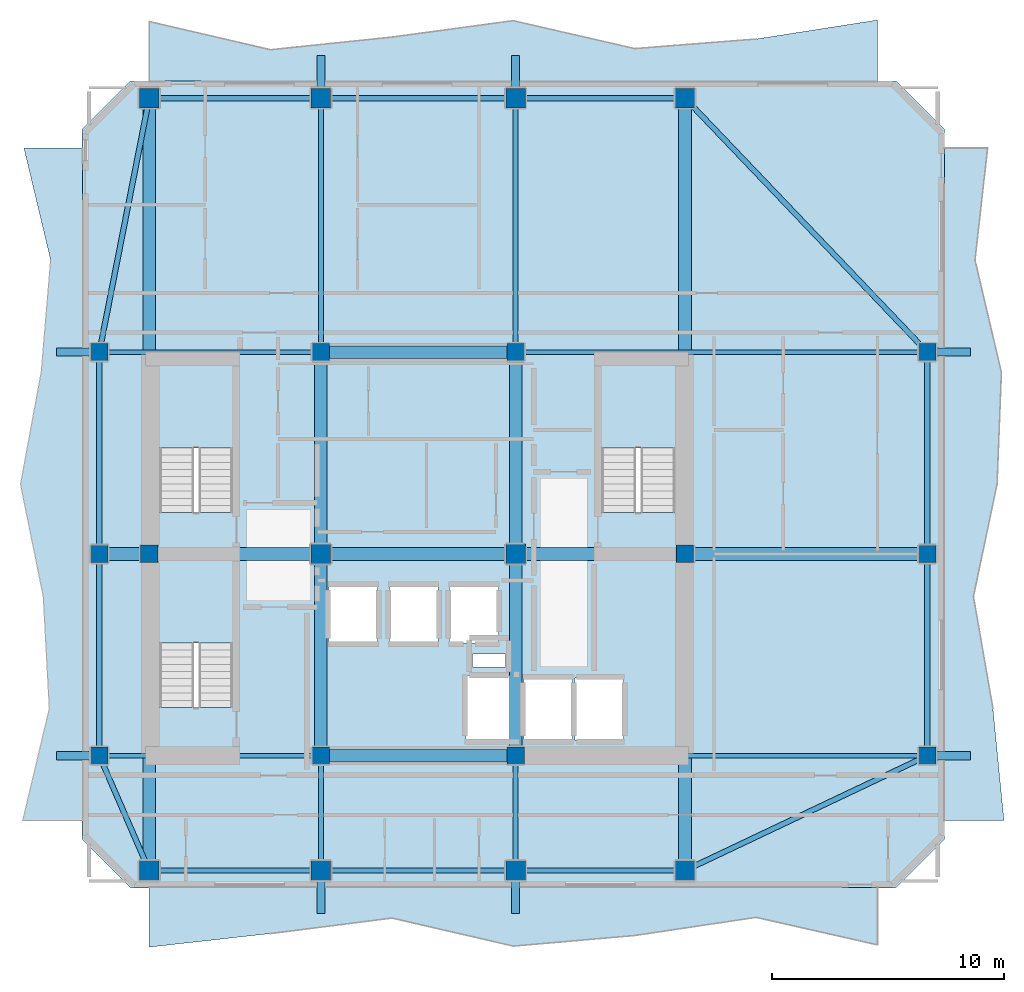
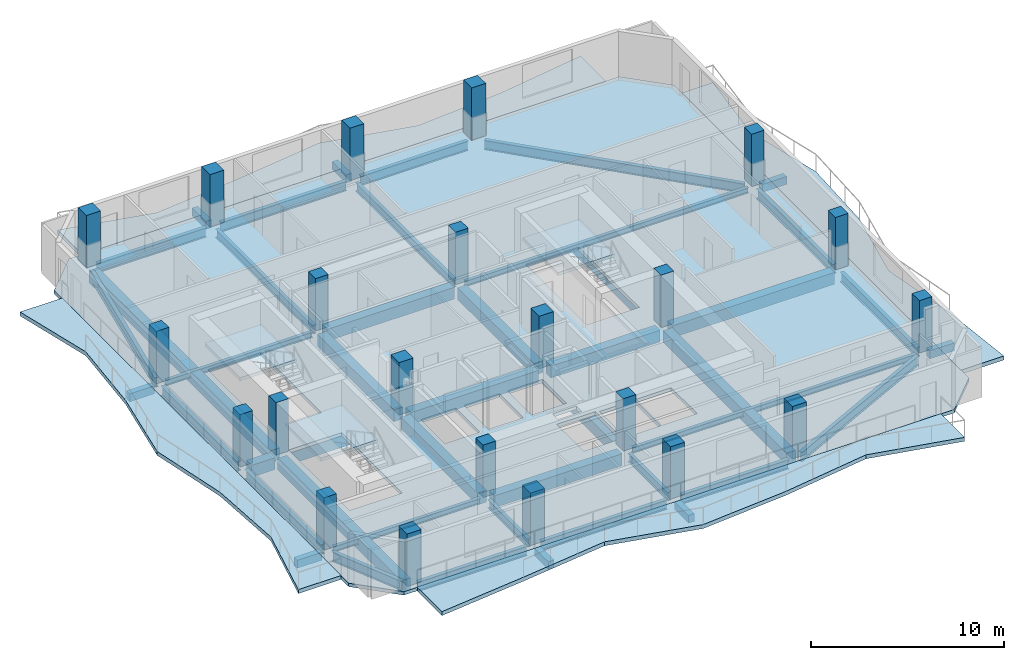
# One storey, part 1 of 9: 45 beams, 22 columns, 8 slabs, 3 elements without a shape of their own.
"""IFC4 building model written with IfcOpenShell, lengths in metres."""

import ifcopenshell
import ifcopenshell.guid

model = None  # the IFC model being written
_history = None  # IfcOwnerHistory: only IFC2X3 demands one
_inside = {}  # id of a spatial element -> (the spatial element, [elements in it])
_under = {}  # id of a project, library or spatial element -> (it, [spatial elements below it])
_declared = {}  # id of a project -> (the project, [libraries it declares])
_typed = {}  # id of a type object -> (the type object, [elements of that type])
_made_of = {}  # id of a material, layer set ... -> (it, [elements and type objects made of it])


def new_model(schema):
    """Start an empty IFC model of exactly this schema.

    Asked for "IFC4X3", IfcOpenShell would pick the latest addendum, in which some entities
    have other attributes; the version numbers below select the first issue.
    IFC2X3 requires an IfcOwnerHistory on every rooted entity: one is made here for all.
    """
    global model, _history
    if schema == "IFC4X3":
        model = ifcopenshell.file(schema_version=(4, 3, 0, 0))
    else:
        model = ifcopenshell.file(schema=schema)
    _inside.clear()
    _under.clear()
    _declared.clear()
    _typed.clear()
    _made_of.clear()
    _history = None
    if model.schema == "IFC2X3":
        org = make("IfcOrganization", Name="unknown")
        user = make(
            "IfcPersonAndOrganization",
            ThePerson=make("IfcPerson", FamilyName="unknown"),
            TheOrganization=org,
        )
        app = make(
            "IfcApplication",
            ApplicationDeveloper=org,
            Version="unknown",
            ApplicationFullName="unknown",
            ApplicationIdentifier="unknown",
        )
        _history = make(
            "IfcOwnerHistory",
            OwningUser=user,
            OwningApplication=app,
            ChangeAction="ADDED",
            CreationDate=0,
        )
    return model


def make(cls, **values):
    """One entity of the class cls with the attributes given. An attribute that is None is left unset."""
    return model.create_entity(
        cls, **{name: value for name, value in values.items() if value is not None}
    )


def rooted(cls, **values):
    """An entity with a GlobalId (a new one), such as an element, a storey or a relation."""
    return make(cls, GlobalId=ifcopenshell.guid.new(), OwnerHistory=_history, **values)


def si_unit(unit_type, name, prefix=None):
    """IfcSIUnit, for example si_unit("LENGTHUNIT", "METRE", prefix="MILLI")."""
    return make("IfcSIUnit", UnitType=unit_type, Prefix=prefix, Name=name)


def assignment(units):
    """IfcUnitAssignment: the units of a project."""
    return None if units is None else make("IfcUnitAssignment", Units=units)


def point(xyz):
    """IfcCartesianPoint."""
    return None if xyz is None else make("IfcCartesianPoint", Coordinates=xyz)


def direction(xyz):
    """IfcDirection."""
    return None if xyz is None else make("IfcDirection", DirectionRatios=xyz)


def frame(location, z_axis=None, x_axis=None):
    """IfcAxis2Placement3D, a coordinate frame: its origin and axes. An axis left out is left unset."""
    return make(
        "IfcAxis2Placement3D",
        Location=point(location),
        Axis=direction(z_axis),
        RefDirection=direction(x_axis),
    )


def frame_2d(location, x_axis=None):
    """IfcAxis2Placement2D, a coordinate frame in the plane: its origin and x axis."""
    return make(
        "IfcAxis2Placement2D", Location=point(location), RefDirection=direction(x_axis)
    )


def origin():
    """The frame at (0, 0, 0) with its axes left unset."""
    return frame((0.0, 0.0, 0.0))


def origin_2d():
    """The frame at (0, 0) in the plane with its x axis left unset."""
    return frame_2d((0.0, 0.0))


def place(relative_to, where):
    """IfcLocalPlacement: puts the frame where relative to a parent placement (None: the world)."""
    return make(
        "IfcLocalPlacement", PlacementRelTo=relative_to, RelativePlacement=where
    )


def context(
    kind, dimensions, precision=None, world=None, true_north=None, identifier=None
):
    """IfcGeometricRepresentationContext, for example the 3D "Model" context."""
    return make(
        "IfcGeometricRepresentationContext",
        ContextIdentifier=identifier,
        ContextType=kind,
        CoordinateSpaceDimension=dimensions,
        Precision=precision,
        WorldCoordinateSystem=world,
        TrueNorth=true_north,
    )


def subcontext(parent, identifier, kind, view, scale=None):
    """IfcGeometricRepresentationSubContext, for example "Body" below "Model"."""
    return make(
        "IfcGeometricRepresentationSubContext",
        ContextIdentifier=identifier,
        ContextType=kind,
        ParentContext=parent,
        TargetScale=scale,
        TargetView=view,
    )


def project(units=None, contexts=None):
    """IfcProject with its units and contexts."""
    return rooted(
        "IfcProject",
        Name="project",
        RepresentationContexts=contexts,
        UnitsInContext=assignment(units),
    )


def spatial(cls, under=None, at=None, **own):
    """A site, building, storey or space (cls), placed at a placement, below another one or the project."""
    s = rooted(cls, ObjectPlacement=at, **own)
    if under is not None:
        _under.setdefault(under.id(), (under, []))[1].append(s)
    return s


def polyline(points):
    """IfcPolyline through the points."""
    return make("IfcPolyline", Points=[point(p) for p in points])


def profile(cls, at=None, kind="AREA", **sizes):
    """A parametric profile (cls). Its sizes go by their IFC names, for example OverallWidth=200.0."""
    return make(cls, ProfileType=kind, Position=at, **sizes)


def rectangle(**sizes):
    """IfcRectangleProfileDef."""
    return profile("IfcRectangleProfileDef", **sizes)


def i_section(**sizes):
    """IfcIShapeProfileDef."""
    return profile("IfcIShapeProfileDef", **sizes)


def outline(outer, holes=None, kind="AREA"):
    """IfcArbitraryClosedProfileDef: a profile drawn as a closed curve; with holes, ...WithVoids."""
    if holes is None:
        return make("IfcArbitraryClosedProfileDef", ProfileType=kind, OuterCurve=outer)
    return make(
        "IfcArbitraryProfileDefWithVoids",
        ProfileType=kind,
        OuterCurve=outer,
        InnerCurves=holes,
    )


def extrude(swept, where, along, depth):
    """IfcExtrudedAreaSolid: the profile swept, set in the frame where, extruded along a direction by depth."""
    return make(
        "IfcExtrudedAreaSolid",
        SweptArea=swept,
        Position=where,
        ExtrudedDirection=direction(along),
        Depth=depth,
    )


def shape(context_of_items, identifier, shape_type, items):
    """IfcShapeRepresentation: the items that make up one representation, for example the "Body"."""
    return make(
        "IfcShapeRepresentation",
        ContextOfItems=context_of_items,
        RepresentationIdentifier=identifier,
        RepresentationType=shape_type,
        Items=items,
    )


def material(Name=None, Category=None):
    """IfcMaterial."""
    return make("IfcMaterial", Name=Name, Category=Category)


def layer(
    of_material, thickness, ventilated=None, Name=None, Category=None, Priority=None
):
    """IfcMaterialLayer: one layer of a wall or slab, of a material (None: an air gap)."""
    return make(
        "IfcMaterialLayer",
        Material=of_material,
        LayerThickness=thickness,
        IsVentilated=ventilated,
        Name=Name,
        Category=Category,
        Priority=Priority,
    )


def layer_set(layers, Name=None):
    """IfcMaterialLayerSet."""
    return make("IfcMaterialLayerSet", MaterialLayers=layers, LayerSetName=Name)


def material_profile(
    of_material, cross_section, Name=None, Category=None, Priority=None
):
    """IfcMaterialProfile: a cross section and its material."""
    return make(
        "IfcMaterialProfile",
        Name=Name,
        Material=of_material,
        Profile=cross_section,
        Priority=Priority,
        Category=Category,
    )


def profile_set(profiles, Name=None, composite=None):
    """IfcMaterialProfileSet."""
    return make(
        "IfcMaterialProfileSet",
        Name=Name,
        MaterialProfiles=profiles,
        CompositeProfile=composite,
    )


def made_of(thing, what):
    """Note that an element or type object is made of a material, layer set ...; save() writes the relation."""
    if what is not None:
        _made_of.setdefault(what.id(), (what, []))[1].append(thing)
    return thing


def type_object(cls, material=None, **own):
    """A type object (cls), such as IfcWallType, which elements share."""
    return made_of(rooted(cls, **own), material)


def element(
    cls,
    number,
    at=None,
    inside=None,
    cuts=None,
    type_object=None,
    material=None,
    context=None,
    identifier="Body",
    shape_type=None,
    held_by="IfcProductDefinitionShape",
    body=None,
    shapes=None,
    **own,
):
    """One element of the class cls, such as IfcWall. Its Tag is "e" and its number.

    at: its placement. inside: the storey or other place that contains it. cuts: it is an
    opening in that element (IfcRelVoidsElement). A single representation is given by context,
    identifier, shape_type and body (its items); several are given by shapes. held_by: the class
    of the entity that holds the representations. save() writes the other relations.
    """
    e = rooted(cls, Tag="e%d" % number, ObjectPlacement=at, **own)
    if body is not None:
        shapes = [shape(context, identifier, shape_type, body)]
    if shapes is not None:
        e.Representation = make(held_by, Representations=shapes)
    if inside is not None:
        _inside.setdefault(inside.id(), (inside, []))[1].append(e)
    if cuts is not None:
        rooted(
            "IfcRelVoidsElement", RelatingBuildingElement=cuts, RelatedOpeningElement=e
        )
    if type_object is not None:
        _typed.setdefault(type_object.id(), (type_object, []))[1].append(e)
    return made_of(e, material)


def aggregate(whole, parts):
    """IfcRelAggregates: a whole, such as a stair, and the parts it consists of."""
    return rooted("IfcRelAggregates", RelatingObject=whole, RelatedObjects=parts)


def save(model, path):
    """Write the relations noted so far, then the file.

    IfcRelAggregates (storeys below a building ...), IfcRelContainedInSpatialStructure (elements
    in a storey), IfcRelDefinesByType, IfcRelAssociatesMaterial and IfcRelDeclares: one each for
    every whole, place, type object, material and project.
    """
    for whole, parts in _under.values():
        aggregate(whole, parts)
    for where, things in _inside.values():
        rooted(
            "IfcRelContainedInSpatialStructure",
            RelatedElements=things,
            RelatingStructure=where,
        )
    for kind, things in _typed.values():
        rooted("IfcRelDefinesByType", RelatedObjects=things, RelatingType=kind)
    for what, things in _made_of.values():
        rooted("IfcRelAssociatesMaterial", RelatedObjects=things, RelatingMaterial=what)
    for by, libraries in _declared.values():
        rooted("IfcRelDeclares", RelatingContext=by, RelatedDefinitions=libraries)
    model.write(path)


model = new_model("IFC4")

# Units and contexts
model_context = context("Model", 3, precision=1e-05, world=origin(), true_north=direction((0.0, 1.0)))
body_context = subcontext(model_context, "Body", "Model", "MODEL_VIEW")
ifc_project = project(units=[si_unit("LENGTHUNIT", "METRE"), si_unit("AREAUNIT", "SQUARE_METRE"), si_unit("VOLUMEUNIT", "CUBIC_METRE"), si_unit("PLANEANGLEUNIT", "RADIAN"), si_unit("MASSUNIT", "GRAM", prefix="KILO")], contexts=[model_context])

# Site, building, storey
site_placement = place(None, origin())
site = spatial("IfcSite", under=ifc_project, at=site_placement, CompositionType="ELEMENT")
building_placement = place(site_placement, origin())
building = spatial("IfcBuilding", under=site, at=building_placement, Name="Solanera Arch Residences", CompositionType="ELEMENT")
storey_placement = place(building_placement, frame((0.0, 0.0, 241.239990234375)))
storey = spatial("IfcBuildingStorey", under=building, at=storey_placement, Name="L70", CompositionType="ELEMENT", Elevation=241.239990234375)

# Columns
ifc_material_1 = material(Name="Concrete C40/50 (f'c = 45 MPa)", Category="concrete")
ifc_material_profile_1 = material_profile(ifc_material_1, rectangle(XDim=0.75, YDim=0.75, at=origin_2d()))
ifc_profile_set_1 = profile_set([ifc_material_profile_1], Name="Concrete C40/50 (f'c = 45 MPa)")
column_type_1 = type_object("IfcColumnType", Name="Structural Column RC-COL-750X750", PredefinedType="COLUMN", material=ifc_profile_set_1)
for number, where, z_axis, x_axis, name in (
    (1, (20.800048828125, 22.0, 0.0), (0.0, 0.0, 1.0), (1.0, 0.0, 0.0), "COL-L70-CB-SW"),
    (2, (29.199951171875, 22.0, 0.0), (0.0, 0.0, 1.0), (1.0, 0.0, 0.0), "COL-L70-CB-SE"),
    (3, (20.800048828125, 39.39990234375, 0.0), (0.0, 0.0, 1.0), (1.0, 0.0, 0.0), "COL-L70-CB-NW"),
    (4, (29.199951171875, 39.39990234375, 0.0), (0.0, 0.0, 1.0), (1.0, 0.0, 0.0), "COL-L70-CB-NE"),
    (5, (13.39990234375, 30.699951171875, 0.0), (0.0, 0.0, 1.0), (1.0, 0.0, 0.0), "COL-L70-CB-WW"),
    (6, (36.5, 30.699951171875, 0.0), (0.0, 0.0, 1.0), (1.0, 0.0, 0.0), "COL-L70-CB-EE"),
    (7, (11.25, 22.0, 0.0), (0.0, 0.0, 1.0), (1.0, 0.0, 0.0), "COL-L70-TWR-09"),
    (8, (46.949951171875, 22.0, 0.0), (0.0, 0.0, 1.0), (1.0, 0.0, 0.0), "COL-L70-TWR-10"),
    (9, (11.25, 30.699951171875, 0.0), (0.0, 0.0, 1.0), (1.0, 0.0, 0.0), "COL-L70-TWR-11"),
    (10, (46.949951171875, 30.699951171875, 0.0), (0.0, 0.0, 1.0), (1.0, 0.0, 0.0), "COL-L70-TWR-12"),
    (11, (11.25, 39.39990234375, 0.0), (0.0, 0.0, 1.0), (1.0, 0.0, 0.0), "COL-L70-TWR-13"),
    (12, (46.949951171875, 39.39990234375, 0.0), (0.0, 0.0, 1.0), (1.0, 0.0, 0.0), "COL-L70-TWR-14"),
):
    element("IfcColumn", number, at=place(storey_placement, frame(where, z_axis=z_axis, x_axis=x_axis)), inside=storey, type_object=column_type_1, Name=name, PredefinedType="COLUMN", context=body_context, shape_type="SweptSolid", body=[
        extrude(rectangle(XDim=0.75, YDim=0.75, at=origin_2d()), origin(), (0.0, 0.0, 1.0), 3.320068359375),
    ])
ifc_material_2 = material(Name="Concrete C40/50 (f'c = 45 MPa)", Category="concrete")
ifc_material_profile_2 = material_profile(ifc_material_2, rectangle(XDim=0.85009765625, YDim=0.85009765625, at=origin_2d()))
ifc_profile_set_2 = profile_set([ifc_material_profile_2], Name="Concrete C40/50 (f'c = 45 MPa)")
column_type_2 = type_object("IfcColumnType", Name="Structural Column RC-COL-850X850", PredefinedType="COLUMN", material=ifc_profile_set_2)
for number, where, z_axis, x_axis, name in (
    (13, (20.800048828125, 30.699951171875, 0.0), (0.0, 0.0, 1.0), (1.0, 0.0, 0.0), "COL-L70-CORE-W"),
    (14, (29.199951171875, 30.699951171875, 0.0), (0.0, 0.0, 1.0), (1.0, 0.0, 0.0), "COL-L70-CORE-E"),
    (15, (13.39990234375, 17.050048828125, 0.0), (0.0, 0.0, 1.0), (1.0, 0.0, 0.0), "COL-L70-TWR-01"),
    (16, (13.39990234375, 50.35009765625, 0.0), (0.0, 0.0, 1.0), (1.0, 0.0, 0.0), "COL-L70-TWR-02"),
    (17, (20.800048828125, 17.050048828125, 0.0), (0.0, 0.0, 1.0), (1.0, 0.0, 0.0), "COL-L70-TWR-03"),
    (18, (20.800048828125, 50.35009765625, 0.0), (0.0, 0.0, 1.0), (1.0, 0.0, 0.0), "COL-L70-TWR-04"),
    (19, (29.199951171875, 17.050048828125, 0.0), (0.0, 0.0, 1.0), (1.0, 0.0, 0.0), "COL-L70-TWR-05"),
    (20, (29.199951171875, 50.35009765625, 0.0), (0.0, 0.0, 1.0), (1.0, 0.0, 0.0), "COL-L70-TWR-06"),
    (21, (36.5, 17.050048828125, 0.0), (0.0, 0.0, 1.0), (1.0, 0.0, 0.0), "COL-L70-TWR-07"),
    (22, (36.5, 50.35009765625, 0.0), (0.0, 0.0, 1.0), (1.0, 0.0, 0.0), "COL-L70-TWR-08"),
):
    element("IfcColumn", number, at=place(storey_placement, frame(where, z_axis=z_axis, x_axis=x_axis)), inside=storey, type_object=column_type_2, Name=name, PredefinedType="COLUMN", context=body_context, shape_type="SweptSolid", body=[
        extrude(rectangle(XDim=0.85009765625, YDim=0.85009765625, at=origin_2d()), origin(), (0.0, 0.0, 1.0), 3.320068359375),
    ])

# Beams
ifc_material_3 = material(Name="Concrete C40/50 (f'c = 45 MPa)", Category="concrete")
ifc_material_profile_3 = material_profile(ifc_material_3, rectangle(XDim=0.35009765625, YDim=0.5, at=origin_2d()))
ifc_profile_set_3 = profile_set([ifc_material_profile_3], Name="Concrete C40/50 (f'c = 45 MPa)")
beam_type_1 = type_object("IfcBeamType", Name="BM-BALC-RIB", PredefinedType="BEAM", material=ifc_profile_set_3)
for number, where, z_axis, x_axis, name in (
    (23, (20.800048828125, 15.199951171875, -0.5), (0.0, 1.0, 0.0), (-1.0, 0.0, 0.0), "BM-L70-BRIB-S1"),
    (24, (29.199951171875, 15.199951171875, -0.5), (0.0, 1.0, 0.0), (-1.0, 0.0, 0.0), "BM-L70-BRIB-S2"),
    (25, (20.800048828125, 50.77490234375, -0.5), (0.0, 1.0, 0.0), (-1.0, 0.0, 0.0), "BM-L70-BRIB-N1"),
    (26, (29.199951171875, 50.77490234375, -0.5), (0.0, 1.0, 0.0), (-1.0, 0.0, 0.0), "BM-L70-BRIB-N2"),
):
    element("IfcBeam", number, at=place(storey_placement, frame(where, z_axis=z_axis, x_axis=x_axis)), inside=storey, type_object=beam_type_1, Name=name, PredefinedType="BEAM", context=body_context, shape_type="SweptSolid", body=[
        extrude(rectangle(XDim=0.35009765625, YDim=0.5, at=origin_2d()), origin(), (0.0, 0.0, 1.0), 1.425048828125),
    ])
for number, where, z_axis, x_axis, name in (
    (27, (47.324951171875, 22.0, -0.5), (1.0, 0.0, 0.0), (0.0, 1.0, 0.0), "BM-L70-BRIB-E1"),
    (28, (47.324951171875, 39.39990234375, -0.5), (1.0, 0.0, 0.0), (0.0, 1.0, 0.0), "BM-L70-BRIB-E2"),
    (29, (9.39990234375, 22.0, -0.5), (1.0, 0.0, 0.0), (0.0, 1.0, 0.0), "BM-L70-BRIB-W1"),
    (30, (9.39990234375, 39.39990234375, -0.5), (1.0, 0.0, 0.0), (0.0, 1.0, 0.0), "BM-L70-BRIB-W2"),
):
    element("IfcBeam", number, at=place(storey_placement, frame(where, z_axis=z_axis, x_axis=x_axis)), inside=storey, type_object=beam_type_1, Name=name, PredefinedType="BEAM", context=body_context, shape_type="SweptSolid", body=[
        extrude(rectangle(XDim=0.35009765625, YDim=0.5, at=origin_2d()), origin(), (0.0, 0.0, 1.0), 1.47509765625),
    ])
ifc_material_4 = material(Name="Steel S355 (ASTM A992 / A572 Grade 50)", Category="steel")
ifc_material_profile_4 = material_profile(ifc_material_4, i_section(OverallWidth=0.208984375, OverallDepth=0.532958984375, WebThickness=0.01025390625, FlangeThickness=0.015625, at=origin_2d()))
ifc_profile_set_4 = profile_set([ifc_material_profile_4], Name="Steel S355 (ASTM A992 / A572 Grade 50)")
beam_type_2 = type_object("IfcBeamType", Name="Floor Beam W530X92", PredefinedType="BEAM", material=ifc_profile_set_4)
beam_1_placement = place(storey_placement, frame((20.800048828125, 17.47900390625, -0.486083984375), z_axis=(0.0, 1.0, 0.0), x_axis=(-1.0, 0.0, 0.0)))
element("IfcBeam", 31, at=beam_1_placement, inside=storey, type_object=beam_type_2, Name="BM-L70-RAD-S-208", PredefinedType="BEAM", context=body_context, shape_type="SweptSolid", body=[
    extrude(i_section(OverallWidth=0.208984375, OverallDepth=0.532958984375, WebThickness=0.01025390625, FlangeThickness=0.015625, at=origin_2d()), origin(), (0.0, 0.0, 1.0), 4.14208984375),
])
beam_2_placement = place(storey_placement, frame((20.800048828125, 39.779052734375, -0.486083984375), z_axis=(0.0, 1.0, 0.0), x_axis=(-1.0, 0.0, 0.0)))
element("IfcBeam", 32, at=beam_2_placement, inside=storey, type_object=beam_type_2, Name="BM-L70-RAD-N-208", PredefinedType="BEAM", context=body_context, shape_type="SweptSolid", body=[
    extrude(i_section(OverallWidth=0.208984375, OverallDepth=0.532958984375, WebThickness=0.01025390625, FlangeThickness=0.015625, at=origin_2d()), origin(), (0.0, 0.0, 1.0), 10.141845703125),
])
beam_3_placement = place(storey_placement, frame((29.199951171875, 17.47900390625, -0.486083984375), z_axis=(0.0, 1.0, 0.0), x_axis=(-1.0, 0.0, 0.0)))
element("IfcBeam", 33, at=beam_3_placement, inside=storey, type_object=beam_type_2, Name="BM-L70-RAD-S-292", PredefinedType="BEAM", context=body_context, shape_type="SweptSolid", body=[
    extrude(i_section(OverallWidth=0.208984375, OverallDepth=0.532958984375, WebThickness=0.01025390625, FlangeThickness=0.015625, at=origin_2d()), origin(), (0.0, 0.0, 1.0), 4.14208984375),
])
beam_4_placement = place(storey_placement, frame((29.199951171875, 39.779052734375, -0.486083984375), z_axis=(0.0, 1.0, 0.0), x_axis=(-1.0, 0.0, 0.0)))
element("IfcBeam", 34, at=beam_4_placement, inside=storey, type_object=beam_type_2, Name="BM-L70-RAD-N-292", PredefinedType="BEAM", context=body_context, shape_type="SweptSolid", body=[
    extrude(i_section(OverallWidth=0.208984375, OverallDepth=0.532958984375, WebThickness=0.01025390625, FlangeThickness=0.015625, at=origin_2d()), origin(), (0.0, 0.0, 1.0), 10.141845703125),
])
ifc_material_5 = material(Name="Concrete C40/50 (f'c = 45 MPa)", Category="concrete")
ifc_material_profile_5 = material_profile(ifc_material_5, rectangle(XDim=0.550048828125, YDim=0.75, at=origin_2d()))
ifc_profile_set_5 = profile_set([ifc_material_profile_5], Name="Concrete C40/50 (f'c = 45 MPa)")
beam_type_3 = type_object("IfcBeamType", Name="Primary Beam RC-BM-550X750", PredefinedType="BEAM", material=ifc_profile_set_5)
beam_5_placement = place(storey_placement, frame((20.800048828125, 22.37890625, -0.594970703125), z_axis=(0.0, 1.0, 0.0), x_axis=(-1.0, 0.0, 0.0)))
element("IfcBeam", 35, at=beam_5_placement, inside=storey, type_object=beam_type_3, Name="BM-L70-CC-S-208", PredefinedType="BEAM", context=body_context, shape_type="SweptSolid", body=[
    extrude(rectangle(XDim=0.550048828125, YDim=0.75, at=origin_2d()), origin(), (0.0, 0.0, 1.0), 7.942138671875),
])
beam_6_placement = place(storey_placement, frame((20.800048828125, 31.0791015625, -0.594970703125), z_axis=(0.0, 1.0, 0.0), x_axis=(-1.0, 0.0, 0.0)))
element("IfcBeam", 36, at=beam_6_placement, inside=storey, type_object=beam_type_3, Name="BM-L70-CC-N-208", PredefinedType="BEAM", context=body_context, shape_type="SweptSolid", body=[
    extrude(rectangle(XDim=0.550048828125, YDim=0.75, at=origin_2d()), origin(), (0.0, 0.0, 1.0), 7.94189453125),
])
beam_7_placement = place(storey_placement, frame((29.199951171875, 22.37890625, -0.594970703125), z_axis=(0.0, 1.0, 0.0), x_axis=(-1.0, 0.0, 0.0)))
element("IfcBeam", 37, at=beam_7_placement, inside=storey, type_object=beam_type_3, Name="BM-L70-CC-S-292", PredefinedType="BEAM", context=body_context, shape_type="SweptSolid", body=[
    extrude(rectangle(XDim=0.550048828125, YDim=0.75, at=origin_2d()), origin(), (0.0, 0.0, 1.0), 7.942138671875),
])
beam_8_placement = place(storey_placement, frame((29.199951171875, 31.0791015625, -0.594970703125), z_axis=(0.0, 1.0, 0.0), x_axis=(-1.0, 0.0, 0.0)))
element("IfcBeam", 38, at=beam_8_placement, inside=storey, type_object=beam_type_3, Name="BM-L70-CC-N-292", PredefinedType="BEAM", context=body_context, shape_type="SweptSolid", body=[
    extrude(rectangle(XDim=0.550048828125, YDim=0.75, at=origin_2d()), origin(), (0.0, 0.0, 1.0), 7.94189453125),
])
for number, where, z_axis, x_axis, name in (
    (39, (21.178955078125, 22.0, -0.594970703125), (1.0, 0.0, 0.0), (0.0, 1.0, 0.0), "BM-L70-CC-M-220"),
    (40, (21.178955078125, 30.699951171875, -0.594970703125), (1.0, 0.0, 0.0), (0.0, 1.0, 0.0), "BM-L70-CC-M-307"),
    (41, (21.178955078125, 39.39990234375, -0.594970703125), (1.0, 0.0, 0.0), (0.0, 1.0, 0.0), "BM-L70-CC-M-394"),
):
    element("IfcBeam", number, at=place(storey_placement, frame(where, z_axis=z_axis, x_axis=x_axis)), inside=storey, type_object=beam_type_3, Name=name, PredefinedType="BEAM", context=body_context, shape_type="SweptSolid", body=[
        extrude(rectangle(XDim=0.550048828125, YDim=0.75, at=origin_2d()), origin(), (0.0, 0.0, 1.0), 7.64208984375),
    ])
beam_9_placement = place(storey_placement, frame((13.779052734375, 30.699951171875, -0.594970703125), z_axis=(1.0, 0.0, 0.0), x_axis=(0.0, 1.0, 0.0)))
element("IfcBeam", 42, at=beam_9_placement, inside=storey, type_object=beam_type_3, Name="BM-L70-CC-W", PredefinedType="BEAM", context=body_context, shape_type="SweptSolid", body=[
    extrude(rectangle(XDim=0.550048828125, YDim=0.75, at=origin_2d()), origin(), (0.0, 0.0, 1.0), 6.641845703125),
])
beam_10_placement = place(storey_placement, frame((29.5791015625, 30.699951171875, -0.594970703125), z_axis=(1.0, 0.0, 0.0), x_axis=(0.0, 1.0, 0.0)))
element("IfcBeam", 43, at=beam_10_placement, inside=storey, type_object=beam_type_3, Name="BM-L70-CC-E", PredefinedType="BEAM", context=body_context, shape_type="SweptSolid", body=[
    extrude(rectangle(XDim=0.550048828125, YDim=0.75, at=origin_2d()), origin(), (0.0, 0.0, 1.0), 6.5419921875),
])
beam_11_placement = place(storey_placement, frame((13.39990234375, 17.47900390625, -0.594970703125), z_axis=(0.0, 1.0, 0.0), x_axis=(-1.0, 0.0, 0.0)))
element("IfcBeam", 44, at=beam_11_placement, inside=storey, type_object=beam_type_3, Name="BM-L70-RAD-OS-134", PredefinedType="BEAM", context=body_context, shape_type="SweptSolid", body=[
    extrude(rectangle(XDim=0.550048828125, YDim=0.75, at=origin_2d()), origin(), (0.0, 0.0, 1.0), 12.842041015625),
])
beam_12_placement = place(storey_placement, frame((13.39990234375, 31.0791015625, -0.594970703125), z_axis=(0.0, 1.0, 0.0), x_axis=(-1.0, 0.0, 0.0)))
element("IfcBeam", 45, at=beam_12_placement, inside=storey, type_object=beam_type_3, Name="BM-L70-RAD-ON-134", PredefinedType="BEAM", context=body_context, shape_type="SweptSolid", body=[
    extrude(rectangle(XDim=0.550048828125, YDim=0.75, at=origin_2d()), origin(), (0.0, 0.0, 1.0), 18.841796875),
])
beam_13_placement = place(storey_placement, frame((36.5, 17.47900390625, -0.594970703125), z_axis=(0.0, 1.0, 0.0), x_axis=(-1.0, 0.0, 0.0)))
element("IfcBeam", 46, at=beam_13_placement, inside=storey, type_object=beam_type_3, Name="BM-L70-RAD-OS-365", PredefinedType="BEAM", context=body_context, shape_type="SweptSolid", body=[
    extrude(rectangle(XDim=0.550048828125, YDim=0.75, at=origin_2d()), origin(), (0.0, 0.0, 1.0), 12.842041015625),
])
beam_14_placement = place(storey_placement, frame((36.5, 31.0791015625, -0.594970703125), z_axis=(0.0, 1.0, 0.0), x_axis=(-1.0, 0.0, 0.0)))
element("IfcBeam", 47, at=beam_14_placement, inside=storey, type_object=beam_type_3, Name="BM-L70-RAD-ON-365", PredefinedType="BEAM", context=body_context, shape_type="SweptSolid", body=[
    extrude(rectangle(XDim=0.550048828125, YDim=0.75, at=origin_2d()), origin(), (0.0, 0.0, 1.0), 18.841796875),
])
beam_15_placement = place(storey_placement, frame((11.62890625, 30.699951171875, -0.594970703125), z_axis=(1.0, 0.0, 0.0), x_axis=(0.0, 1.0, 0.0)))
element("IfcBeam", 48, at=beam_15_placement, inside=storey, type_object=beam_type_3, Name="BM-L70-RAD-MW", PredefinedType="BEAM", context=body_context, shape_type="SweptSolid", body=[
    extrude(rectangle(XDim=0.550048828125, YDim=0.75, at=origin_2d()), origin(), (0.0, 0.0, 1.0), 1.39208984375),
])
beam_16_placement = place(storey_placement, frame((36.87890625, 30.699951171875, -0.594970703125), z_axis=(1.0, 0.0, 0.0), x_axis=(0.0, 1.0, 0.0)))
element("IfcBeam", 49, at=beam_16_placement, inside=storey, type_object=beam_type_3, Name="BM-L70-RAD-ME", PredefinedType="BEAM", context=body_context, shape_type="SweptSolid", body=[
    extrude(rectangle(XDim=0.550048828125, YDim=0.75, at=origin_2d()), origin(), (0.0, 0.0, 1.0), 9.692138671875),
])
ifc_material_6 = material(Name="Steel S355 (ASTM A992 / A572 Grade 50)", Category="steel")
ifc_material_profile_6 = material_profile(ifc_material_6, i_section(OverallWidth=0.205078125, OverallDepth=0.35400390625, WebThickness=0.009521484375, FlangeThickness=0.016845703125, at=origin_2d()))
ifc_profile_set_6 = profile_set([ifc_material_profile_6], Name="Steel S355 (ASTM A992 / A572 Grade 50)")
beam_type_4 = type_object("IfcBeamType", Name="Secondary Joist W360X79", PredefinedType="JOIST", material=ifc_profile_set_6)
beam_17_placement = place(storey_placement, frame((11.62890625, 22.0, -0.39697265625), z_axis=(1.0, 0.0, 0.0), x_axis=(0.0, 1.0, 0.0)))
element("IfcBeam", 50, at=beam_17_placement, inside=storey, type_object=beam_type_4, Name="BM-L70-RAD-W-220", PredefinedType="JOIST", context=body_context, shape_type="SweptSolid", body=[
    extrude(i_section(OverallWidth=0.205078125, OverallDepth=0.35400390625, WebThickness=0.009521484375, FlangeThickness=0.016845703125, at=origin_2d()), origin(), (0.0, 0.0, 1.0), 8.7919921875),
])
beam_18_placement = place(storey_placement, frame((29.5791015625, 22.0, -0.39697265625), z_axis=(1.0, 0.0, 0.0), x_axis=(0.0, 1.0, 0.0)))
element("IfcBeam", 51, at=beam_18_placement, inside=storey, type_object=beam_type_4, Name="BM-L70-RAD-E-220", PredefinedType="JOIST", context=body_context, shape_type="SweptSolid", body=[
    extrude(i_section(OverallWidth=0.205078125, OverallDepth=0.35400390625, WebThickness=0.009521484375, FlangeThickness=0.016845703125, at=origin_2d()), origin(), (0.0, 0.0, 1.0), 16.991943359375),
])
beam_19_placement = place(storey_placement, frame((11.62890625, 39.39990234375, -0.39697265625), z_axis=(1.0, 0.0, 0.0), x_axis=(0.0, 1.0, 0.0)))
element("IfcBeam", 52, at=beam_19_placement, inside=storey, type_object=beam_type_4, Name="BM-L70-RAD-W-394", PredefinedType="JOIST", context=body_context, shape_type="SweptSolid", body=[
    extrude(i_section(OverallWidth=0.205078125, OverallDepth=0.35400390625, WebThickness=0.009521484375, FlangeThickness=0.016845703125, at=origin_2d()), origin(), (0.0, 0.0, 1.0), 8.7919921875),
])
beam_20_placement = place(storey_placement, frame((29.5791015625, 39.39990234375, -0.39697265625), z_axis=(1.0, 0.0, 0.0), x_axis=(0.0, 1.0, 0.0)))
element("IfcBeam", 53, at=beam_20_placement, inside=storey, type_object=beam_type_4, Name="BM-L70-RAD-E-394", PredefinedType="JOIST", context=body_context, shape_type="SweptSolid", body=[
    extrude(i_section(OverallWidth=0.205078125, OverallDepth=0.35400390625, WebThickness=0.009521484375, FlangeThickness=0.016845703125, at=origin_2d()), origin(), (0.0, 0.0, 1.0), 16.991943359375),
])
ifc_material_7 = material(Name="Steel S355 (ASTM A992 / A572 Grade 50)", Category="steel")
ifc_material_profile_7 = material_profile(ifc_material_7, i_section(OverallWidth=0.22802734375, OverallDepth=0.60791015625, WebThickness=0.01123046875, FlangeThickness=0.017333984375, at=origin_2d()))
ifc_profile_set_7 = profile_set([ifc_material_profile_7], Name="Steel S355 (ASTM A992 / A572 Grade 50)")
beam_type_5 = type_object("IfcBeamType", Name="Spandrel Beam W610X113", PredefinedType="SPANDREL", material=ifc_profile_set_7)
for number, where, z_axis, x_axis, name in (
    (54, (13.8291015625, 17.050048828125, -0.52392578125), (1.0, 0.0, 0.0), (0.0, 1.0, 0.0), "BM-L70-SPN-S-1"),
    (55, (13.8291015625, 50.35009765625, -0.52392578125), (1.0, 0.0, 0.0), (0.0, 1.0, 0.0), "BM-L70-SPN-N-1"),
):
    element("IfcBeam", number, at=place(storey_placement, frame(where, z_axis=z_axis, x_axis=x_axis)), inside=storey, type_object=beam_type_5, Name=name, PredefinedType="SPANDREL", context=body_context, shape_type="SweptSolid", body=[
        extrude(i_section(OverallWidth=0.22802734375, OverallDepth=0.60791015625, WebThickness=0.01123046875, FlangeThickness=0.017333984375, at=origin_2d()), origin(), (0.0, 0.0, 1.0), 6.5419921875),
    ])
for number, where, z_axis, x_axis, name in (
    (56, (21.22900390625, 17.050048828125, -0.52392578125), (1.0, 0.0, 0.0), (0.0, 1.0, 0.0), "BM-L70-SPN-S-2"),
    (57, (21.22900390625, 50.35009765625, -0.52392578125), (1.0, 0.0, 0.0), (0.0, 1.0, 0.0), "BM-L70-SPN-N-2"),
):
    element("IfcBeam", number, at=place(storey_placement, frame(where, z_axis=z_axis, x_axis=x_axis)), inside=storey, type_object=beam_type_5, Name=name, PredefinedType="SPANDREL", context=body_context, shape_type="SweptSolid", body=[
        extrude(i_section(OverallWidth=0.22802734375, OverallDepth=0.60791015625, WebThickness=0.01123046875, FlangeThickness=0.017333984375, at=origin_2d()), origin(), (0.0, 0.0, 1.0), 7.5419921875),
    ])
for number, where, z_axis, x_axis, name in (
    (58, (29.62890625, 17.050048828125, -0.52392578125), (1.0, 0.0, 0.0), (0.0, 1.0, 0.0), "BM-L70-SPN-S-3"),
    (59, (29.62890625, 50.35009765625, -0.52392578125), (1.0, 0.0, 0.0), (0.0, 1.0, 0.0), "BM-L70-SPN-N-3"),
):
    element("IfcBeam", number, at=place(storey_placement, frame(where, z_axis=z_axis, x_axis=x_axis)), inside=storey, type_object=beam_type_5, Name=name, PredefinedType="SPANDREL", context=body_context, shape_type="SweptSolid", body=[
        extrude(i_section(OverallWidth=0.22802734375, OverallDepth=0.60791015625, WebThickness=0.01123046875, FlangeThickness=0.017333984375, at=origin_2d()), origin(), (0.0, 0.0, 1.0), 6.442138671875),
    ])
for number, where, z_axis, x_axis, name in (
    (60, (11.25, 22.37890625, -0.52392578125), (0.0, 1.0, 0.0), (-1.0, 0.0, 0.0), "BM-L70-SPN-W-1"),
    (61, (46.949951171875, 22.37890625, -0.52392578125), (0.0, 1.0, 0.0), (-1.0, 0.0, 0.0), "BM-L70-SPN-E-1"),
):
    element("IfcBeam", number, at=place(storey_placement, frame(where, z_axis=z_axis, x_axis=x_axis)), inside=storey, type_object=beam_type_5, Name=name, PredefinedType="SPANDREL", context=body_context, shape_type="SweptSolid", body=[
        extrude(i_section(OverallWidth=0.22802734375, OverallDepth=0.60791015625, WebThickness=0.01123046875, FlangeThickness=0.017333984375, at=origin_2d()), origin(), (0.0, 0.0, 1.0), 7.942138671875),
    ])
for number, where, z_axis, x_axis, name in (
    (62, (11.25, 31.0791015625, -0.52392578125), (0.0, 1.0, 0.0), (-1.0, 0.0, 0.0), "BM-L70-SPN-W-2"),
    (63, (46.949951171875, 31.0791015625, -0.52392578125), (0.0, 1.0, 0.0), (-1.0, 0.0, 0.0), "BM-L70-SPN-E-2"),
):
    element("IfcBeam", number, at=place(storey_placement, frame(where, z_axis=z_axis, x_axis=x_axis)), inside=storey, type_object=beam_type_5, Name=name, PredefinedType="SPANDREL", context=body_context, shape_type="SweptSolid", body=[
        extrude(i_section(OverallWidth=0.22802734375, OverallDepth=0.60791015625, WebThickness=0.01123046875, FlangeThickness=0.017333984375, at=origin_2d()), origin(), (0.0, 0.0, 1.0), 7.94189453125),
    ])
beam_21_placement = place(storey_placement, frame((13.214111328125, 17.47900390625, -0.52392578125), z_axis=(-0.398565995426, 0.917139655282, 0.0), x_axis=(-0.917139655282, -0.398565995426, 0.0)))
element("IfcBeam", 64, at=beam_21_placement, inside=storey, type_object=beam_type_5, Name="BM-L70-SPN-SW", PredefinedType="SPANDREL", context=body_context, shape_type="SweptSolid", body=[
    extrude(i_section(OverallWidth=0.22802734375, OverallDepth=0.60791015625, WebThickness=0.01123046875, FlangeThickness=0.017333984375, at=origin_2d()), origin(), (0.0, 0.0, 1.0), 4.516357421875),
])
beam_22_placement = place(storey_placement, frame((13.31591796875, 49.9208984375, -0.52392578125), z_axis=(-0.192726215486, -0.981252569864, 0.0), x_axis=(0.981252569864, -0.192726215486, 0.0)))
element("IfcBeam", 65, at=beam_22_placement, inside=storey, type_object=beam_type_5, Name="BM-L70-SPN-NW", PredefinedType="SPANDREL", context=body_context, shape_type="SweptSolid", body=[
    extrude(i_section(OverallWidth=0.22802734375, OverallDepth=0.60791015625, WebThickness=0.01123046875, FlangeThickness=0.017333984375, at=origin_2d()), origin(), (0.0, 0.0, 1.0), 10.335693359375),
])
beam_23_placement = place(storey_placement, frame((36.928955078125, 17.2529296875, -0.52392578125), z_axis=(0.903708483395, 0.428148311967, 0.0), x_axis=(-0.428148311967, 0.903708483395, 0.0)))
element("IfcBeam", 66, at=beam_23_placement, inside=storey, type_object=beam_type_5, Name="BM-L70-SPN-SE", PredefinedType="SPANDREL", context=body_context, shape_type="SweptSolid", body=[
    extrude(i_section(OverallWidth=0.22802734375, OverallDepth=0.60791015625, WebThickness=0.01123046875, FlangeThickness=0.017333984375, at=origin_2d()), origin(), (0.0, 0.0, 1.0), 10.66943359375),
])
beam_24_placement = place(storey_placement, frame((36.873046875, 49.958984375, -0.52392578125), z_axis=(0.690398586327, -0.723429189346, 0.0), x_axis=(0.723429189346, 0.690398586327, 0.0)))
element("IfcBeam", 67, at=beam_24_placement, inside=storey, type_object=beam_type_5, Name="BM-L70-SPN-NE", PredefinedType="SPANDREL", context=body_context, shape_type="SweptSolid", body=[
    extrude(i_section(OverallWidth=0.22802734375, OverallDepth=0.60791015625, WebThickness=0.01123046875, FlangeThickness=0.017333984375, at=origin_2d()), origin(), (0.0, 0.0, 1.0), 14.0732421875),
])

# Slabs
ifc_material_8 = material(Name="Concrete C40/50 (f'c = 45 MPa)", Category="concrete")
ifc_layer_1 = layer(ifc_material_8, 0.25)
ifc_layer_set_1 = layer_set([ifc_layer_1], Name="Concrete C40/50 (f'c = 45 MPa)")
slab_type_1 = type_object("IfcSlabType", Name="Balcony Slab 250", PredefinedType="FLOOR", material=ifc_layer_set_1)
slab_1_placement = place(storey_placement, frame((0.0, 0.0, -0.25)))
element("IfcSlab", 68, at=slab_1_placement, inside=storey, type_object=slab_type_1, Name="L70 S Rippling Brise-Soleil Balcony Slab", PredefinedType="FLOOR", context=body_context, shape_type="SweptSolid", body=[
    extrude(outline(polyline([(13.39990234375, 13.7451171875), (18.633056640625, 14.33203125), (23.866943359375, 15.0009765625), (29.10009765625, 13.791015625), (34.3330078125, 14.2490234375), (39.56689453125, 15.031982421875), (44.800048828125, 13.844970703125), (44.800048828125, 16.320068359375), (13.39990234375, 16.320068359375), (13.39990234375, 13.7451171875)])), origin(), (0.0, 0.0, 1.0), 0.25),
])
slab_2_placement = place(storey_placement, frame((0.0, 0.0, -0.25)))
element("IfcSlab", 69, at=slab_2_placement, inside=storey, type_object=slab_type_1, Name="L70 N Rippling Brise-Soleil Balcony Slab", PredefinedType="FLOOR", context=body_context, shape_type="SweptSolid", body=[
    extrude(outline(polyline([(44.800048828125, 53.720947265625), (39.56689453125, 52.90087890625), (34.3330078125, 52.488037109375), (29.10009765625, 53.69189453125), (23.866943359375, 52.98388671875), (18.633056640625, 52.43994140625), (13.39990234375, 53.655029296875), (13.39990234375, 51.080078125), (44.800048828125, 51.080078125), (44.800048828125, 53.720947265625)])), origin(), (0.0, 0.0, 1.0), 0.25),
])
slab_3_placement = place(storey_placement, frame((0.0, 0.0, -0.25)))
element("IfcSlab", 70, at=slab_3_placement, inside=storey, type_object=slab_type_1, Name="L70 E Rippling Brise-Soleil Balcony Slab", PredefinedType="FLOOR", context=body_context, shape_type="SweptSolid", body=[
    extrude(outline(polyline([(50.2548828125, 19.199951171875), (49.779052734375, 24.032958984375), (48.93603515625, 28.866943359375), (49.9541015625, 33.699951171875), (50.14208984375, 38.532958984375), (49.0029296875, 43.366943359375), (49.547119140625, 48.199951171875), (47.679931640625, 48.199951171875), (47.679931640625, 19.199951171875), (50.2548828125, 19.199951171875)])), origin(), (0.0, 0.0, 1.0), 0.25),
])
slab_4_placement = place(storey_placement, frame((0.0, 0.0, -0.25)))
element("IfcSlab", 71, at=slab_4_placement, inside=storey, type_object=slab_type_1, Name="L70 W Rippling Brise-Soleil Balcony Slab", PredefinedType="FLOOR", context=body_context, shape_type="SweptSolid", body=[
    extrude(outline(polyline([(7.9970703125, 48.199951171875), (9.14990234375, 43.366943359375), (8.743896484375, 38.532958984375), (7.85205078125, 33.699951171875), (8.83203125, 28.866943359375), (9.093994140625, 24.032958984375), (7.945068359375, 19.199951171875), (10.52001953125, 19.199951171875), (10.52001953125, 48.199951171875), (7.9970703125, 48.199951171875)])), origin(), (0.0, 0.0, 1.0), 0.25),
])

# Stair, slab
ifc_material_9 = material(Name="Concrete C40/50 (f'c = 45 MPa)", Category="concrete")
stair_type = type_object("IfcStairType", Name="Tower Dogleg Exit Stair 1480", PredefinedType="HALF_TURN_STAIR", material=ifc_material_9)
stair_1_placement = place(storey_placement, origin())
stair_1 = element("IfcStair", 72, at=stair_1_placement, inside=storey, type_object=stair_type, Name="L70 Tower Core Exit Stair 1", PredefinedType="HALF_TURN_STAIR")
ifc_material_10 = material(Name="Concrete C40/50 (f'c = 45 MPa)", Category="concrete")
ifc_layer_2 = layer(ifc_material_10, 0.199951171875)
ifc_layer_set_2 = layer_set([ifc_layer_2], Name="Concrete C40/50 (f'c = 45 MPa)")
slab_type_2 = type_object("IfcSlabType", Name="Stair Half-Landing Slab 200", PredefinedType="LANDING", material=ifc_layer_set_2)
slab_5_placement = place(storey_placement, frame((0.0, 0.0, 1.4599609375)))
slab_5 = element("IfcSlab", 73, at=slab_5_placement, type_object=slab_type_2, Name="ST-T1 landing 1", PredefinedType="LANDING", context=body_context, shape_type="SweptSolid", body=[
    extrude(outline(polyline([(17.1201171875, 35.260009765625), (17.1201171875, 38.919921875), (13.719970703125, 38.919921875), (13.719970703125, 35.260009765625), (17.1201171875, 35.260009765625)])), origin(), (0.0, 0.0, 1.0), 0.199951171875),
])
aggregate(stair_1, [slab_5])

stair_2_placement = place(storey_placement, origin())
stair_2 = element("IfcStair", 74, at=stair_2_placement, inside=storey, type_object=stair_type, Name="L70 Tower Core Exit Stair 2", PredefinedType="HALF_TURN_STAIR")
slab_6_placement = place(storey_placement, frame((0.0, 0.0, 1.4599609375)))
slab_6 = element("IfcSlab", 75, at=slab_6_placement, type_object=slab_type_2, Name="ST-T2 landing 1", PredefinedType="LANDING", context=body_context, shape_type="SweptSolid", body=[
    extrude(outline(polyline([(36.179931640625, 35.260009765625), (36.179931640625, 38.919921875), (32.780029296875, 38.919921875), (32.780029296875, 35.260009765625), (36.179931640625, 35.260009765625)])), origin(), (0.0, 0.0, 1.0), 0.199951171875),
])
aggregate(stair_2, [slab_6])

stair_3_placement = place(storey_placement, origin())
stair_3 = element("IfcStair", 76, at=stair_3_placement, inside=storey, type_object=stair_type, Name="L70 Tower Core Exit Stair 3", PredefinedType="HALF_TURN_STAIR")
slab_7_placement = place(storey_placement, frame((0.0, 0.0, 1.4599609375)))
slab_7 = element("IfcSlab", 77, at=slab_7_placement, type_object=slab_type_2, Name="ST-T3 landing 1", PredefinedType="LANDING", context=body_context, shape_type="SweptSolid", body=[
    extrude(outline(polyline([(17.1201171875, 26.860107421875), (17.1201171875, 30.52001953125), (13.719970703125, 30.52001953125), (13.719970703125, 26.860107421875), (17.1201171875, 26.860107421875)])), origin(), (0.0, 0.0, 1.0), 0.199951171875),
])
aggregate(stair_3, [slab_7])

# Slab
ifc_material_11 = material(Name="Concrete C40/50 (f'c = 45 MPa)", Category="concrete")
ifc_layer_3 = layer(ifc_material_11, 0.219970703125)
ifc_layer_set_3 = layer_set([ifc_layer_3], Name="Concrete C40/50 (f'c = 45 MPa)")
slab_type_3 = type_object("IfcSlabType", Name="Suspended Floor Slab Post-Tensioned 220", PredefinedType="FLOOR", material=ifc_layer_set_3)
slab_8_placement = place(storey_placement, frame((0.0, 0.0, -0.219970703125)))
element("IfcSlab", 78, at=slab_8_placement, inside=storey, type_object=slab_type_3, Name="L70 Tower Post-Tensioned Floor Slab", PredefinedType="FLOOR", context=body_context, shape_type="SweptSolid", body=[
    extrude(outline(polyline([(12.60009765625, 16.300048828125), (45.60009765625, 16.300048828125), (47.699951171875, 18.39990234375), (47.699951171875, 49.0), (45.60009765625, 51.10009765625), (12.60009765625, 51.10009765625), (10.5, 49.0), (10.5, 18.39990234375), (12.60009765625, 16.300048828125)]), holes=[polyline([(13.840087890625, 32.48291015625), (13.840087890625, 38.800048828125), (17.0, 38.800048828125), (17.0, 32.48291015625), (13.840087890625, 32.48291015625)]), polyline([(32.89990234375, 32.48291015625), (32.89990234375, 38.800048828125), (36.06005859375, 38.800048828125), (36.06005859375, 32.48291015625), (32.89990234375, 32.48291015625)]), polyline([(13.840087890625, 24.0830078125), (13.840087890625, 30.39990234375), (17.0, 30.39990234375), (17.0, 24.0830078125), (13.840087890625, 24.0830078125)]), polyline([(21.14990234375, 29.35009765625), (23.25, 29.35009765625), (23.25, 26.85009765625), (21.14990234375, 26.85009765625), (21.14990234375, 29.35009765625)]), polyline([(23.75, 29.35009765625), (25.85009765625, 29.35009765625), (25.85009765625, 26.85009765625), (23.75, 26.85009765625), (23.75, 29.35009765625)]), polyline([(26.35009765625, 29.35009765625), (28.449951171875, 29.35009765625), (28.449951171875, 26.85009765625), (26.35009765625, 26.85009765625), (26.35009765625, 29.35009765625)]), polyline([(29.550048828125, 25.35009765625), (31.64990234375, 25.35009765625), (31.64990234375, 22.64990234375), (29.550048828125, 22.64990234375), (29.550048828125, 25.35009765625)]), polyline([(31.75, 25.35009765625), (33.85009765625, 25.35009765625), (33.85009765625, 22.64990234375), (31.75, 22.64990234375), (31.75, 25.35009765625)]), polyline([(27.050048828125, 25.449951171875), (29.35009765625, 25.449951171875), (29.35009765625, 22.64990234375), (27.050048828125, 22.64990234375), (27.050048828125, 25.449951171875)]), polyline([(27.340087890625, 26.3798828125), (28.760009765625, 26.3798828125), (28.760009765625, 25.820068359375), (27.340087890625, 25.820068359375), (27.340087890625, 26.3798828125)])]), origin(), (0.0, 0.0, 1.0), 0.219970703125),
])

save(model, "model.ifc")
